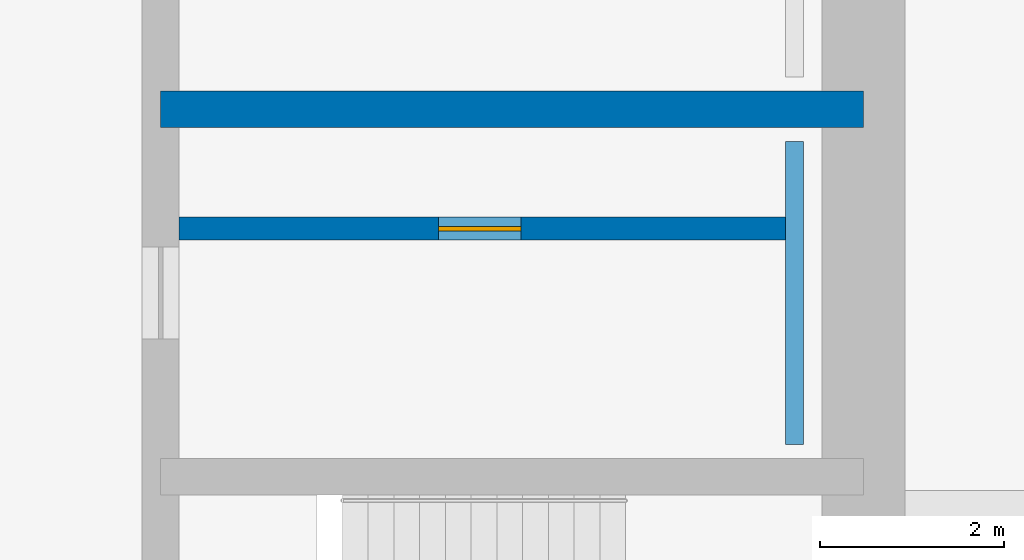
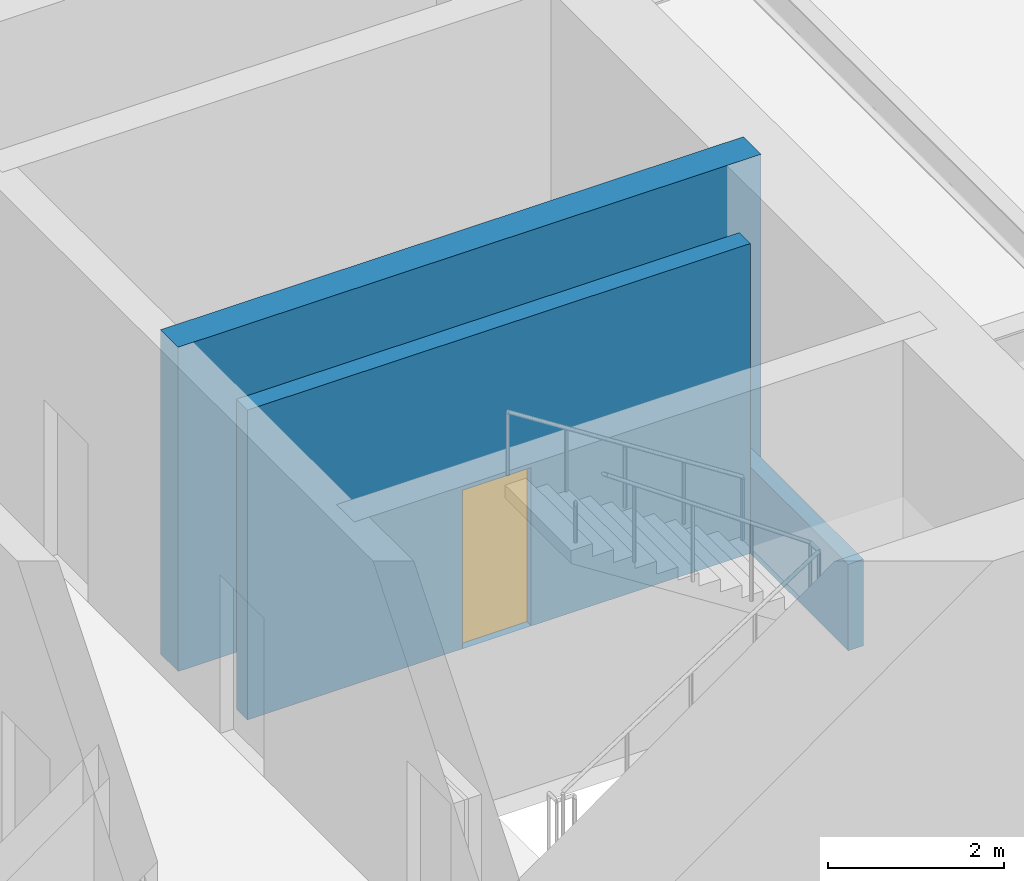
# One storey, part 18 of 30: 3 walls, 1 door, 1 opening.
"""IFC4 building model written with IfcOpenShell, lengths in metres."""

from ifc_helpers import new_model, si_unit, direction, frame, frame_2d, origin, place, context, subcontext, project, spatial, rectangle, extrude, material, layer, layer_set, type_object, element, fill, save


model = new_model("IFC4")

# Units and contexts
model_context = context("Model", 3, precision=1e-05, world=origin(), true_north=direction((0.0, 1.0)))
body_context = subcontext(model_context, "Body", "Model", "MODEL_VIEW")
ifc_project = project(units=[si_unit("LENGTHUNIT", "METRE"), si_unit("AREAUNIT", "SQUARE_METRE"), si_unit("VOLUMEUNIT", "CUBIC_METRE"), si_unit("PLANEANGLEUNIT", "RADIAN"), si_unit("MASSUNIT", "GRAM", prefix="KILO")], contexts=[model_context])

# Site, building, storey
site_placement = place(None, origin())
site = spatial("IfcSite", under=ifc_project, at=site_placement, CompositionType="ELEMENT")
building_placement = place(site_placement, origin())
building = spatial("IfcBuilding", under=site, at=building_placement, Name="Claustro Exchange Tower", CompositionType="ELEMENT")
storey_placement = place(building_placement, frame((0.0, 0.0, 5.39990234375)))
storey = spatial("IfcBuildingStorey", under=building, at=storey_placement, Name="L01", CompositionType="ELEMENT", Elevation=5.39990234375)

# Wall, opening, door
ifc_material_1 = material(Name="Concrete blockwork, rendered", Category="masonry")
ifc_layer_1 = layer(ifc_material_1, 0.25)
ifc_layer_set_1 = layer_set([ifc_layer_1], Name="Concrete blockwork, rendered")
wall_type_1 = type_object("IfcWallType", Name="P4 250 blockwork wall", PredefinedType="PARTITIONING", material=ifc_layer_set_1)
wall_1_placement = place(storey_placement, frame((43.699951171875, 19.800048828125, 0.0), z_axis=(0.0, 0.0, 1.0), x_axis=(1.0, 0.0, 0.0)))
wall_1 = element("IfcWall", 1, at=wall_1_placement, inside=storey, type_object=wall_type_1, Name="Partition P4 L01", PredefinedType="PARTITIONING", context=body_context, shape_type="SweptSolid", body=[
    extrude(rectangle(XDim=6.60009765625, YDim=0.25, at=frame_2d((3.300048828125, 0.0))), origin(), (0.0, 0.0, 1.0), 4.300048828125),
])
opening_placement = place(wall_1_placement, frame((2.824951171875, 0.0, 0.0)))
opening = element("IfcOpeningElement", 2, at=opening_placement, cuts=wall_1, Name="Opening D5", PredefinedType="OPENING", context=body_context, shape_type="SweptSolid", body=[
    extrude(rectangle(XDim=0.89990234375, YDim=2.199951171875, at=frame_2d((0.449951171875, 1.10009765625))), frame((0.0, 0.135009765625, 0.0), z_axis=(0.0, -1.0, 0.0), x_axis=(1.0, 0.0, 0.0)), (0.0, 0.0, 1.0), 0.27001953125),
])
ifc_material_2 = material(Name="Steel door, painted", Category="steel")
door_type = type_object("IfcDoorType", Name="D5 900 x 2200 store door", OperationType="SINGLE_SWING_LEFT", PredefinedType="DOOR", material=ifc_material_2)
door_placement = place(opening_placement, origin())
door = element("IfcDoor", 3, at=door_placement, inside=storey, type_object=door_type, Name="Store door D5 L01", OperationType="SINGLE_SWING_RIGHT", OverallHeight=2.199951171875, OverallWidth=0.89990234375, PredefinedType="DOOR", context=body_context, shape_type="SweptSolid", body=[
    extrude(rectangle(XDim=0.89990234375, YDim=2.199951171875, at=frame_2d((0.449951171875, 1.10009765625))), frame((0.0, 0.02490234375, 0.0), z_axis=(0.0, -1.0, 0.0), x_axis=(1.0, 0.0, 0.0)), (0.0, 0.0, 1.0), 0.050048828125),
])
fill(opening, door)

# Walls
ifc_material_3 = material(Name="Gypsum board on steel studs, tiled", Category="steel")
ifc_layer_2 = layer(ifc_material_3, 0.199951171875)
ifc_layer_set_2 = layer_set([ifc_layer_2], Name="Gypsum board on steel studs, tiled")
wall_type_2 = type_object("IfcWallType", Name="PW1 200 WC duct wall", PredefinedType="PLUMBINGWALL", material=ifc_layer_set_2)
wall_2_placement = place(storey_placement, frame((50.39990234375, 17.449951171875, 0.0), z_axis=(0.0, 0.0, 1.0), x_axis=(0.0, 1.0, 0.0)))
element("IfcWall", 4, at=wall_2_placement, inside=storey, type_object=wall_type_2, Name="WC duct wall PW1 L01", PredefinedType="PLUMBINGWALL", context=body_context, shape_type="SweptSolid", body=[
    extrude(rectangle(XDim=3.300048828125, YDim=0.199951171875, at=frame_2d((1.64990234375, 0.0))), origin(), (0.0, 0.0, 1.0), 1.2001953125),
])
ifc_material_4 = material(Name="Concrete HA-50 (C50/60)", Category="concrete")
ifc_layer_3 = layer(ifc_material_4, 0.39990234375)
ifc_layer_set_3 = layer_set([ifc_layer_3], Name="Concrete HA-50 (C50/60)")
wall_type_3 = type_object("IfcWallType", Name="SW4 400 internal core wall", PredefinedType="SHEAR", material=ifc_layer_set_3)
wall_3_placement = place(storey_placement, frame((51.14990234375, 21.10009765625, 0.0), z_axis=(0.0, 0.0, 1.0), x_axis=(-1.0, 0.0, 0.0)))
element("IfcWall", 5, at=wall_3_placement, inside=storey, type_object=wall_type_3, Name="Internal core wall SW4 E core L01", PredefinedType="SHEAR", context=body_context, shape_type="SweptSolid", body=[
    extrude(rectangle(XDim=7.64990234375, YDim=0.39990234375, at=frame_2d((3.824951171875, 0.0))), origin(), (0.0, 0.0, 1.0), 4.5),
])

save(model, "model.ifc")
